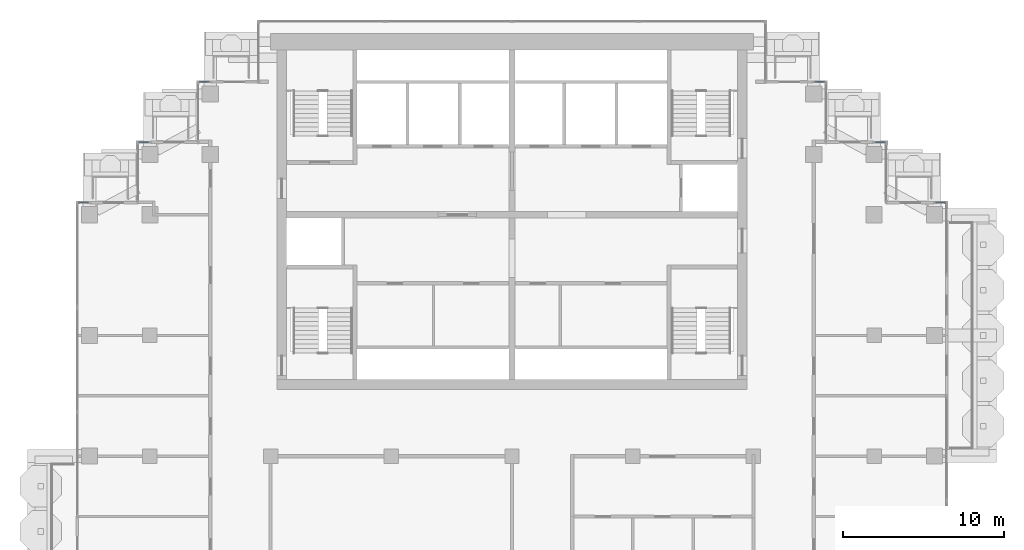
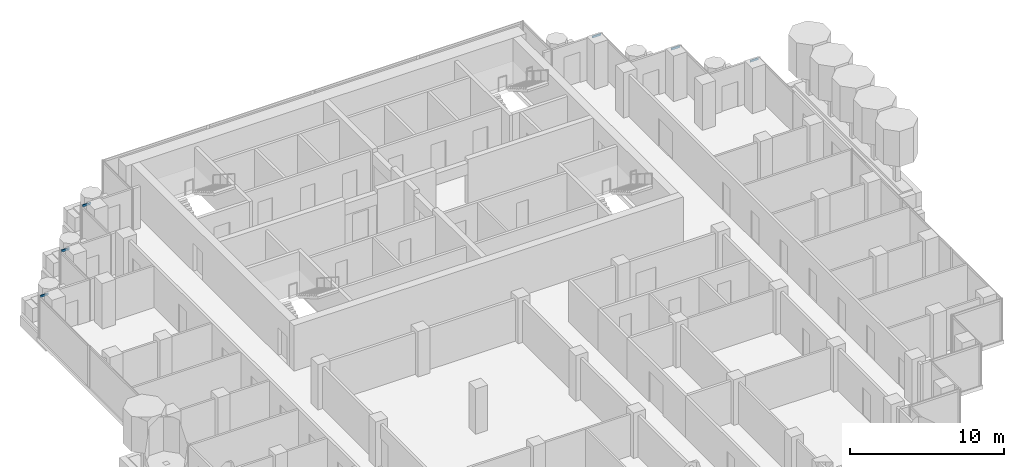
# One storey, part 7 of 19: 6 members, 6 elements without a shape of their own.
"""IFC4 building model written with IfcOpenShell, lengths in metres."""

from ifc_helpers import new_model, si_unit, direction, frame, origin, origin_2d, place, context, subcontext, project, spatial, rectangle, extrude, material, material_profile, profile_set, type_object, element, aggregate, save


model = new_model("IFC4")

# Units and contexts
model_context = context("Model", 3, precision=1e-05, world=origin(), true_north=direction((0.0, 1.0)))
body_context = subcontext(model_context, "Body", "Model", "MODEL_VIEW")
ifc_project = project(units=[si_unit("LENGTHUNIT", "METRE"), si_unit("AREAUNIT", "SQUARE_METRE"), si_unit("VOLUMEUNIT", "CUBIC_METRE"), si_unit("PLANEANGLEUNIT", "RADIAN"), si_unit("MASSUNIT", "GRAM", prefix="KILO")], contexts=[model_context])

# Site, building, storey
site_placement = place(None, origin())
site = spatial("IfcSite", under=ifc_project, at=site_placement, CompositionType="ELEMENT")
building_placement = place(site_placement, origin())
building = spatial("IfcBuilding", under=site, at=building_placement, Name="Pilkhan Gate Tower", CompositionType="ELEMENT")
storey_placement = place(building_placement, frame((0.0, 0.0, 217.5)))
storey = spatial("IfcBuildingStorey", under=building, at=storey_placement, Name="L56", CompositionType="ELEMENT", Elevation=217.5)

# Curtain wall, member
ifc_material_1 = material(Name="Pale anodised aluminium, clear low-iron double glazing", Category="aluminium")
curtain_wall_type = type_object("IfcCurtainWallType", Name="Office unitised curtain wall CW-O2", PredefinedType="USERDEFINED", material=ifc_material_1)
curtain_wall_1_placement = place(storey_placement, origin())
curtain_wall_1 = element("IfcCurtainWall", 1, at=curtain_wall_1_placement, inside=storey, type_object=curtain_wall_type, Name="Office unitised curtain wall CW-O2 L56 N", ObjectType="UNITISED CURTAIN WALL", PredefinedType="USERDEFINED")
ifc_material_2 = material(Name="Pale anodised aluminium", Category="aluminium")
ifc_material_profile = material_profile(ifc_material_2, rectangle(XDim=0.06494140625, YDim=0.1650390625, at=origin_2d()), Name="Transom 165x65")
ifc_profile_set = profile_set([ifc_material_profile], Name="Pale anodised aluminium")
member_type = type_object("IfcMemberType", Name="Transom CW-O2 165x65", PredefinedType="USERDEFINED", material=ifc_profile_set)
member_1_placement = place(storey_placement, frame((101.31494140625, 83.25, 3.217529296875), z_axis=(1.0, 0.0, 0.0), x_axis=(0.0, 1.0, 0.0)))
member_1 = element("IfcMember", 2, at=member_1_placement, type_object=member_type, Name="CW-O2 transom 1", ObjectType="TRANSOM", PredefinedType="USERDEFINED", context=body_context, shape_type="SweptSolid", body=[
    extrude(rectangle(XDim=0.06494140625, YDim=0.1650390625, at=origin_2d()), origin(), (0.0, 0.0, 1.0), 0.6201171875),
])
aggregate(curtain_wall_1, [member_1])

curtain_wall_2_placement = place(storey_placement, origin())
curtain_wall_2 = element("IfcCurtainWall", 3, at=curtain_wall_2_placement, inside=storey, type_object=curtain_wall_type, Name="Office unitised curtain wall CW-O2 L56 N", ObjectType="UNITISED CURTAIN WALL", PredefinedType="USERDEFINED")
member_2_placement = place(storey_placement, frame((97.56494140625, 87.0, 3.217529296875), z_axis=(1.0, 0.0, 0.0), x_axis=(0.0, 1.0, 0.0)))
member_2 = element("IfcMember", 4, at=member_2_placement, type_object=member_type, Name="CW-O2 transom 1", ObjectType="TRANSOM", PredefinedType="USERDEFINED", context=body_context, shape_type="SweptSolid", body=[
    extrude(rectangle(XDim=0.06494140625, YDim=0.1650390625, at=origin_2d()), origin(), (0.0, 0.0, 1.0), 0.6201171875),
])
aggregate(curtain_wall_2, [member_2])

curtain_wall_3_placement = place(storey_placement, origin())
curtain_wall_3 = element("IfcCurtainWall", 5, at=curtain_wall_3_placement, inside=storey, type_object=curtain_wall_type, Name="Office unitised curtain wall CW-O2 L56 N", ObjectType="UNITISED CURTAIN WALL", PredefinedType="USERDEFINED")
member_3_placement = place(storey_placement, frame((93.81494140625, 90.75, 3.217529296875), z_axis=(1.0, 0.0, 0.0), x_axis=(0.0, 1.0, 0.0)))
member_3 = element("IfcMember", 6, at=member_3_placement, type_object=member_type, Name="CW-O2 transom 1", ObjectType="TRANSOM", PredefinedType="USERDEFINED", context=body_context, shape_type="SweptSolid", body=[
    extrude(rectangle(XDim=0.06494140625, YDim=0.1650390625, at=origin_2d()), origin(), (0.0, 0.0, 1.0), 0.6201171875),
])
aggregate(curtain_wall_3, [member_3])

curtain_wall_4_placement = place(storey_placement, origin())
curtain_wall_4 = element("IfcCurtainWall", 7, at=curtain_wall_4_placement, inside=storey, type_object=curtain_wall_type, Name="Office unitised curtain wall CW-O2 L56 N", ObjectType="UNITISED CURTAIN WALL", PredefinedType="USERDEFINED")
member_4_placement = place(storey_placement, frame((55.56494140625, 90.75, 3.217529296875), z_axis=(1.0, 0.0, 0.0), x_axis=(0.0, 1.0, 0.0)))
member_4 = element("IfcMember", 8, at=member_4_placement, type_object=member_type, Name="CW-O2 transom 1", ObjectType="TRANSOM", PredefinedType="USERDEFINED", context=body_context, shape_type="SweptSolid", body=[
    extrude(rectangle(XDim=0.06494140625, YDim=0.1650390625, at=origin_2d()), origin(), (0.0, 0.0, 1.0), 0.6201171875),
])
aggregate(curtain_wall_4, [member_4])

curtain_wall_5_placement = place(storey_placement, origin())
curtain_wall_5 = element("IfcCurtainWall", 9, at=curtain_wall_5_placement, inside=storey, type_object=curtain_wall_type, Name="Office unitised curtain wall CW-O2 L56 N", ObjectType="UNITISED CURTAIN WALL", PredefinedType="USERDEFINED")
member_5_placement = place(storey_placement, frame((51.81494140625, 87.0, 3.217529296875), z_axis=(1.0, 0.0, 0.0), x_axis=(0.0, 1.0, 0.0)))
member_5 = element("IfcMember", 10, at=member_5_placement, type_object=member_type, Name="CW-O2 transom 1", ObjectType="TRANSOM", PredefinedType="USERDEFINED", context=body_context, shape_type="SweptSolid", body=[
    extrude(rectangle(XDim=0.06494140625, YDim=0.1650390625, at=origin_2d()), origin(), (0.0, 0.0, 1.0), 0.6201171875),
])
aggregate(curtain_wall_5, [member_5])

curtain_wall_6_placement = place(storey_placement, origin())
curtain_wall_6 = element("IfcCurtainWall", 11, at=curtain_wall_6_placement, inside=storey, type_object=curtain_wall_type, Name="Office unitised curtain wall CW-O2 L56 N", ObjectType="UNITISED CURTAIN WALL", PredefinedType="USERDEFINED")
member_6_placement = place(storey_placement, frame((48.06494140625, 83.25, 3.217529296875), z_axis=(1.0, 0.0, 0.0), x_axis=(0.0, 1.0, 0.0)))
member_6 = element("IfcMember", 12, at=member_6_placement, type_object=member_type, Name="CW-O2 transom 1", ObjectType="TRANSOM", PredefinedType="USERDEFINED", context=body_context, shape_type="SweptSolid", body=[
    extrude(rectangle(XDim=0.06494140625, YDim=0.1650390625, at=origin_2d()), origin(), (0.0, 0.0, 1.0), 0.6201171875),
])
aggregate(curtain_wall_6, [member_6])

save(model, "model.ifc")
